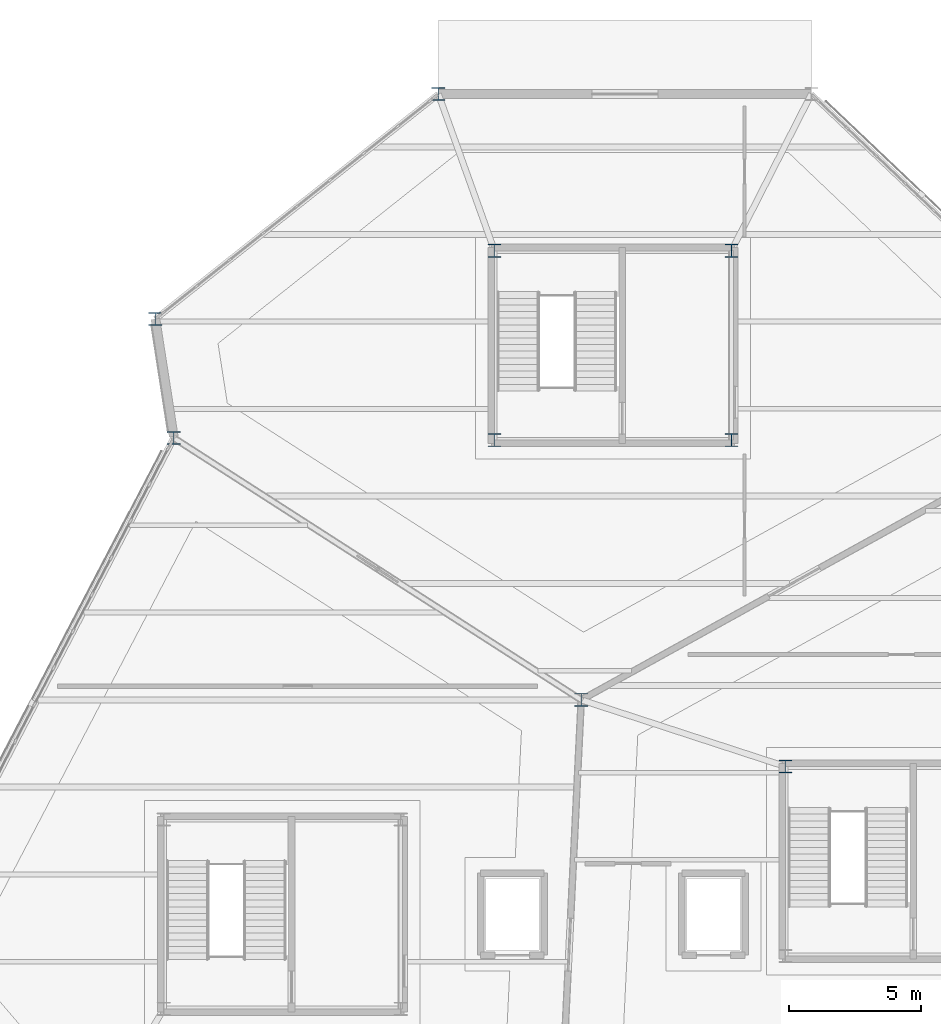
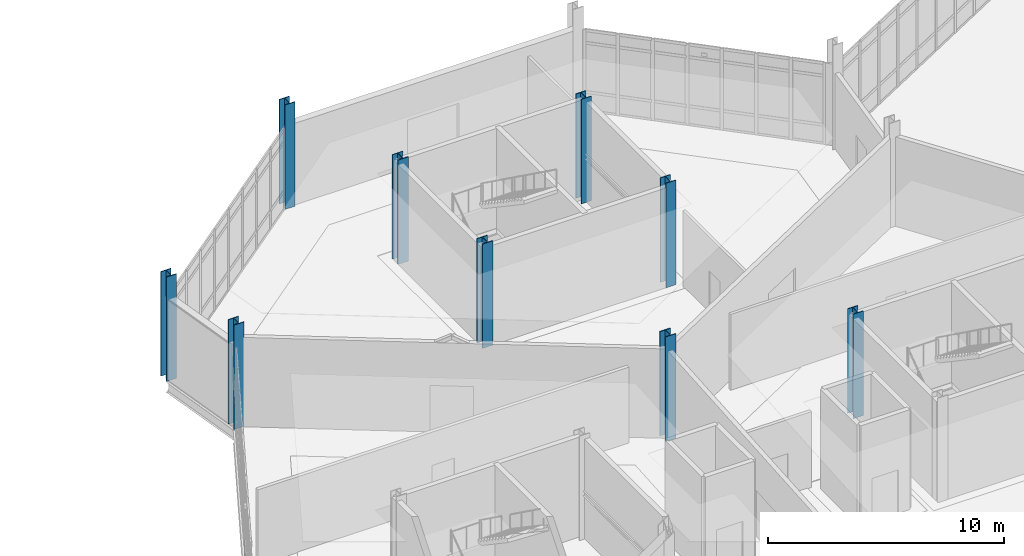
# One storey, part 16 of 113: 9 columns.
"""IFC4 building model written with IfcOpenShell, lengths in metres."""

from ifc_helpers import new_model, si_unit, direction, frame, origin, origin_2d, place, context, subcontext, project, spatial, i_section, extrude, material, material_profile, profile_set, type_object, element, save


model = new_model("IFC4")

# Units and contexts
model_context = context("Model", 3, precision=1e-05, world=origin(), true_north=direction((0.0, 1.0)))
body_context = subcontext(model_context, "Body", "Model", "MODEL_VIEW")
ifc_project = project(units=[si_unit("LENGTHUNIT", "METRE"), si_unit("AREAUNIT", "SQUARE_METRE"), si_unit("VOLUMEUNIT", "CUBIC_METRE"), si_unit("PLANEANGLEUNIT", "RADIAN"), si_unit("MASSUNIT", "GRAM", prefix="KILO")], contexts=[model_context])

# Site, building, storey
site_placement = place(None, origin())
site = spatial("IfcSite", under=ifc_project, at=site_placement, CompositionType="ELEMENT")
building_placement = place(site_placement, origin())
building = spatial("IfcBuilding", under=site, at=building_placement, Name="Tameran Prism Museum", CompositionType="ELEMENT")
storey_placement = place(building_placement, origin())
storey = spatial("IfcBuildingStorey", under=building, at=storey_placement, Name="L00", CompositionType="ELEMENT", Elevation=0.0)

# Columns
ifc_material = material(Name="Steel Grade 350 (350 MPa)", Category="steel")
ifc_material_profile = material_profile(ifc_material, i_section(OverallWidth=0.5, OverallDepth=0.5, WebThickness=0.02197265625, FlangeThickness=0.035888671875, at=origin_2d()))
ifc_profile_set = profile_set([ifc_material_profile])
column_type = type_object("IfcColumnType", Name="COL-WC500", PredefinedType="COLUMN", material=ifc_profile_set)
for number, where, z_axis, x_axis, name in (
    (1, (102.699951171875, 103.5, 0.0), (0.0, 0.0, 1.0), (1.0, 0.0, 0.0), "Column CV-42 L00"),
    (2, (103.39990234375, 99.0, 0.0), (0.0, 0.0, 1.0), (1.0, 0.0, 0.0), "Column CV-43 L00"),
    (3, (113.39990234375, 112.0, 0.0), (0.0, 0.0, 1.0), (1.0, 0.0, 0.0), "Column CV-45 L00"),
    (4, (118.800048828125, 89.10009765625, 0.0), (0.0, 0.0, 1.0), (1.0, 0.0, 0.0), "Column CV-47 L00"),
    (5, (126.52001953125, 86.580078125, 0.0), (0.0, 0.0, 1.0), (1.0, 0.0, 0.0), "Column CC-2-4 L00"),
    (6, (115.52001953125, 98.919921875, 0.0), (0.0, 0.0, 1.0), (1.0, 0.0, 0.0), "Column CC-7-1 L00"),
    (7, (124.47998046875, 98.919921875, 0.0), (0.0, 0.0, 1.0), (1.0, 0.0, 0.0), "Column CC-7-2 L00"),
    (8, (124.47998046875, 106.080078125, 0.0), (0.0, 0.0, 1.0), (1.0, 0.0, 0.0), "Column CC-7-3 L00"),
    (9, (115.52001953125, 106.080078125, 0.0), (0.0, 0.0, 1.0), (1.0, 0.0, 0.0), "Column CC-7-4 L00"),
):
    element("IfcColumn", number, at=place(storey_placement, frame(where, z_axis=z_axis, x_axis=x_axis)), inside=storey, type_object=column_type, Name=name, PredefinedType="COLUMN", context=body_context, shape_type="SweptSolid", body=[
        extrude(i_section(OverallWidth=0.5, OverallDepth=0.5, WebThickness=0.02197265625, FlangeThickness=0.035888671875, at=origin_2d()), origin(), (0.0, 0.0, 1.0), 5.39990234375),
    ])

save(model, "model.ifc")
